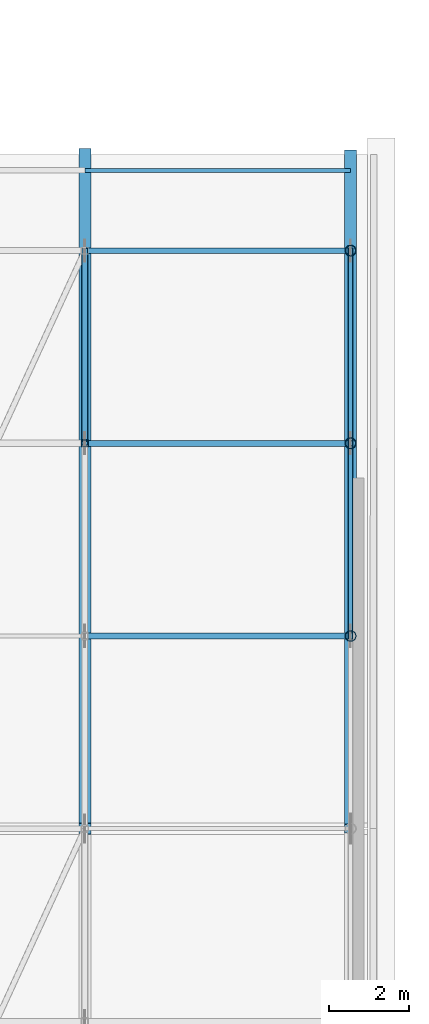
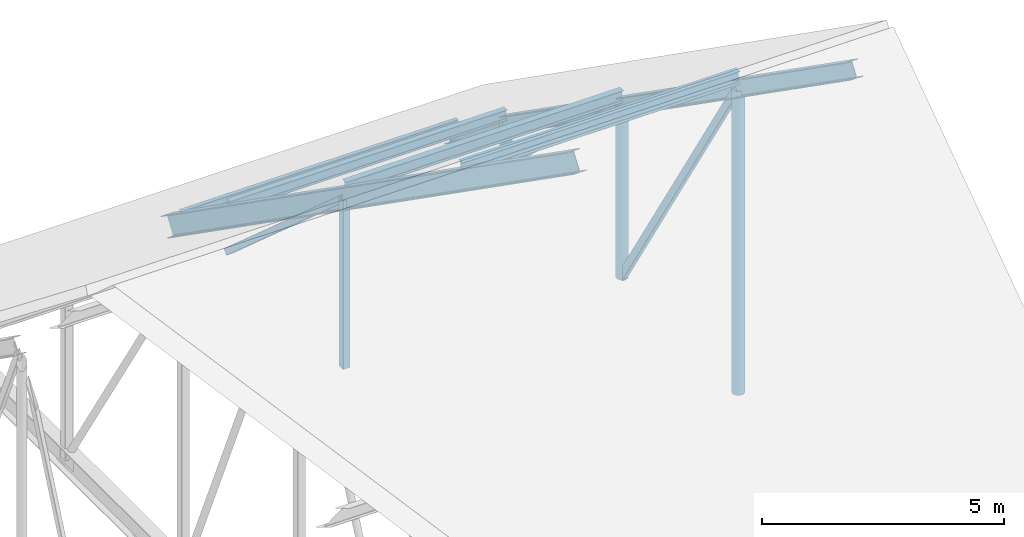
# One storey, part 82 of 134: 13 members.
"""IFC4 building model written with IfcOpenShell, lengths in metres."""

from ifc_helpers import new_model, si_unit, direction, frame, origin, origin_2d, place, context, subcontext, project, spatial, hollow_rectangle, hollow_circle, i_section, extrude, material, material_profile, profile_set, type_object, element, save


model = new_model("IFC4")

# Units and contexts
model_context = context("Model", 3, precision=1e-05, world=origin(), true_north=direction((0.0, 1.0)))
body_context = subcontext(model_context, "Body", "Model", "MODEL_VIEW")
ifc_project = project(units=[si_unit("LENGTHUNIT", "METRE"), si_unit("AREAUNIT", "SQUARE_METRE"), si_unit("VOLUMEUNIT", "CUBIC_METRE"), si_unit("PLANEANGLEUNIT", "RADIAN"), si_unit("MASSUNIT", "GRAM", prefix="KILO")], contexts=[model_context])

# Site, building, storey
site_placement = place(None, origin())
site = spatial("IfcSite", under=ifc_project, at=site_placement, CompositionType="ELEMENT")
building_placement = place(site_placement, origin())
building = spatial("IfcBuilding", under=site, at=building_placement, Name="Asteropetra Specialist Clinic", CompositionType="ELEMENT")
storey_placement = place(building_placement, frame((0.0, 0.0, 8.5)))
storey = spatial("IfcBuildingStorey", under=building, at=storey_placement, Name="L02", CompositionType="ELEMENT", Elevation=8.5)

# Members
ifc_material_1 = material(Name="Steel S355", Category="steel")
ifc_material_profile_1 = material_profile(ifc_material_1, hollow_rectangle(XDim=0.1201171875, YDim=0.199951171875, WallThickness=0.010009765625, InnerFilletRadius=0.008056640625, OuterFilletRadius=0.01611328125, at=origin_2d()), Name="RHS 200x120x10.0")
ifc_profile_set_1 = profile_set([ifc_material_profile_1], Name="Steel S355")
member_type_1 = type_object("IfcMemberType", Name="TR-BRC-RHS200", PredefinedType="BRACE", material=ifc_profile_set_1)
member_1_placement = place(storey_placement, frame((153.10009765625, 96.0, 8.089599609375), z_axis=(0.0, 0.530515462614, -0.847675258532), x_axis=(-1.0, 0.0, 0.0)))
element("IfcMember", 1, at=member_1_placement, inside=storey, type_object=member_type_1, Name="Truss Web Diagonal TRV1-D11-4", PredefinedType="BRACE", context=body_context, shape_type="SweptSolid", body=[
    extrude(hollow_rectangle(XDim=0.1201171875, YDim=0.199951171875, WallThickness=0.010009765625, InnerFilletRadius=0.008056640625, OuterFilletRadius=0.01611328125, at=origin_2d()), origin(), (0.0, 0.0, 1.0), 9.0478515625),
])
member_2_placement = place(storey_placement, frame((153.10009765625, 100.800048828125, 4.718017578125), z_axis=(0.0, 0.744985578282, -0.66708057096), x_axis=(-1.0, 0.0, 0.0)))
element("IfcMember", 2, at=member_2_placement, inside=storey, type_object=member_type_1, Name="Truss Web Diagonal TRV1-D11-5", PredefinedType="BRACE", context=body_context, shape_type="SweptSolid", body=[
    extrude(hollow_rectangle(XDim=0.1201171875, YDim=0.199951171875, WallThickness=0.010009765625, InnerFilletRadius=0.008056640625, OuterFilletRadius=0.01611328125, at=origin_2d()), origin(), (0.0, 0.0, 1.0), 6.443115234375),
])
ifc_material_2 = material(Name="Steel S355", Category="steel")
ifc_material_profile_2 = material_profile(ifc_material_2, hollow_rectangle(XDim=0.159912109375, YDim=0.159912109375, WallThickness=0.008056640625, InnerFilletRadius=0.008056640625, OuterFilletRadius=0.01611328125, at=origin_2d()), Name="SHS 160x160x8.0")
ifc_profile_set_2 = profile_set([ifc_material_profile_2], Name="Steel S355")
member_type_2 = type_object("IfcMemberType", Name="TR-BRC-SHS160", PredefinedType="BRACE", material=ifc_profile_set_2)
member_3_placement = place(storey_placement, frame((146.47998046875, 100.800048828125, 4.718017578125), z_axis=(0.0, 0.748853326805, -0.662735765546), x_axis=(-1.0, 0.0, 0.0)))
element("IfcMember", 3, at=member_3_placement, inside=storey, type_object=member_type_2, Name="Truss Web Diagonal TRV1-D10-5", PredefinedType="BRACE", context=body_context, shape_type="SweptSolid", body=[
    extrude(hollow_rectangle(XDim=0.159912109375, YDim=0.159912109375, WallThickness=0.008056640625, InnerFilletRadius=0.008056640625, OuterFilletRadius=0.01611328125, at=origin_2d()), origin(), (0.0, 0.0, 1.0), 6.409912109375),
])
ifc_material_3 = material(Name="Steel S355", Category="steel")
ifc_material_profile_3 = material_profile(ifc_material_3, i_section(OverallWidth=0.300048828125, OverallDepth=0.389892578125, WebThickness=0.010986328125, FlangeThickness=0.01904296875, FilletRadius=0.027099609375, at=origin_2d()), Name="HEA 400")
ifc_profile_set_3 = profile_set([ifc_material_profile_3], Name="Steel S355")
member_type_3 = type_object("IfcMemberType", Name="TR-CHD-HEA400", PredefinedType="CHORD", material=ifc_profile_set_3)
member_4_placement = place(storey_placement, frame((153.10009765625, 91.199951171875, 11.4609375), z_axis=(0.0, 0.818315202226, -0.574769718936), x_axis=(-1.0, 0.0, 0.0)))
element("IfcMember", 4, at=member_4_placement, inside=storey, type_object=member_type_3, Name="Truss North Top Chord TRV1-TCN11", PredefinedType="CHORD", context=body_context, shape_type="SweptSolid", body=[
    extrude(i_section(OverallWidth=0.300048828125, OverallDepth=0.389892578125, WebThickness=0.010986328125, FlangeThickness=0.01904296875, FilletRadius=0.027099609375, at=origin_2d()), origin(), (0.0, 0.0, 1.0), 20.530029296875),
])
ifc_material_4 = material(Name="Steel S355", Category="steel")
ifc_material_profile_4 = material_profile(ifc_material_4, i_section(OverallWidth=0.300048828125, OverallDepth=0.489990234375, WebThickness=0.011962890625, FlangeThickness=0.02294921875, FilletRadius=0.027099609375, at=origin_2d()), Name="HEA 500")
ifc_profile_set_4 = profile_set([ifc_material_profile_4], Name="Steel S355")
member_type_4 = type_object("IfcMemberType", Name="TR-CHD-HEA500", PredefinedType="CHORD", material=ifc_profile_set_4)
member_5_placement = place(storey_placement, frame((146.47998046875, 91.199951171875, 11.4609375), z_axis=(0.0, 0.818315202226, -0.574769718936), x_axis=(-1.0, 0.0, 0.0)))
element("IfcMember", 5, at=member_5_placement, inside=storey, type_object=member_type_4, Name="Truss North Top Chord TRV1-TCN10", PredefinedType="CHORD", context=body_context, shape_type="SweptSolid", body=[
    extrude(i_section(OverallWidth=0.300048828125, OverallDepth=0.489990234375, WebThickness=0.011962890625, FlangeThickness=0.02294921875, FilletRadius=0.027099609375, at=origin_2d()), origin(), (0.0, 0.0, 1.0), 20.530029296875),
])
ifc_material_5 = material(Name="Steel S355", Category="steel")
ifc_material_profile_5 = material_profile(ifc_material_5, i_section(OverallWidth=0.10009765625, OverallDepth=0.199951171875, WebThickness=0.005615234375, FlangeThickness=0.008544921875, FilletRadius=0.011962890625, at=origin_2d()), Name="IPE 200")
ifc_profile_set_5 = profile_set([ifc_material_profile_5], Name="Steel S355")
member_type_5 = type_object("IfcMemberType", Name="TR-PUR-IPE200", PredefinedType="PURLIN", material=ifc_profile_set_5)
member_6_placement = place(storey_placement, frame((146.47998046875, 107.60009765625, 0.177001953125), z_axis=(1.0, 0.0, 0.0), x_axis=(0.0, 1.0, 0.0)))
element("IfcMember", 6, at=member_6_placement, inside=storey, type_object=member_type_5, Name="Roof Purlin TRV1-P10-09", PredefinedType="PURLIN", context=body_context, shape_type="SweptSolid", body=[
    extrude(i_section(OverallWidth=0.10009765625, OverallDepth=0.199951171875, WebThickness=0.005615234375, FlangeThickness=0.008544921875, FilletRadius=0.011962890625, at=origin_2d()), origin(), (0.0, 0.0, 1.0), 6.6201171875),
])
ifc_material_6 = material(Name="Steel S355", Category="steel")
ifc_material_profile_6 = material_profile(ifc_material_6, i_section(OverallWidth=0.135009765625, OverallDepth=0.27001953125, WebThickness=0.006591796875, FlangeThickness=0.01025390625, FilletRadius=0.014892578125, at=origin_2d()), Name="IPE 270")
ifc_profile_set_6 = profile_set([ifc_material_profile_6], Name="Steel S355")
member_type_6 = type_object("IfcMemberType", Name="TR-PUR-IPE270", PredefinedType="PURLIN", material=ifc_profile_set_6)
member_7_placement = place(storey_placement, frame((146.47998046875, 105.60009765625, 1.61669921875), z_axis=(1.0, 0.0, 0.0), x_axis=(0.0, 1.0, 0.0)))
element("IfcMember", 7, at=member_7_placement, inside=storey, type_object=member_type_6, Name="Roof Purlin TRV1-P10-08", PredefinedType="PURLIN", context=body_context, shape_type="SweptSolid", body=[
    extrude(i_section(OverallWidth=0.135009765625, OverallDepth=0.27001953125, WebThickness=0.006591796875, FlangeThickness=0.01025390625, FilletRadius=0.014892578125, at=origin_2d()), origin(), (0.0, 0.0, 1.0), 6.6201171875),
])
ifc_material_7 = material(Name="Steel S355", Category="steel")
ifc_material_profile_7 = material_profile(ifc_material_7, i_section(OverallWidth=0.14990234375, OverallDepth=0.300048828125, WebThickness=0.007080078125, FlangeThickness=0.0107421875, FilletRadius=0.014892578125, at=origin_2d()), Name="IPE 300")
ifc_profile_set_7 = profile_set([ifc_material_profile_7], Name="Steel S355")
member_type_7 = type_object("IfcMemberType", Name="TR-PUR-IPE300", PredefinedType="PURLIN", material=ifc_profile_set_7)
member_8_placement = place(storey_placement, frame((146.47998046875, 100.800048828125, 5.003173828125), z_axis=(1.0, 0.0, 0.0), x_axis=(0.0, 1.0, 0.0)))
element("IfcMember", 8, at=member_8_placement, inside=storey, type_object=member_type_7, Name="Roof Purlin TRV1-P10-07", PredefinedType="PURLIN", context=body_context, shape_type="SweptSolid", body=[
    extrude(i_section(OverallWidth=0.14990234375, OverallDepth=0.300048828125, WebThickness=0.007080078125, FlangeThickness=0.0107421875, FilletRadius=0.014892578125, at=origin_2d()), origin(), (0.0, 0.0, 1.0), 6.6201171875),
])
ifc_material_8 = material(Name="Steel S355", Category="steel")
ifc_material_profile_8 = material_profile(ifc_material_8, i_section(OverallWidth=0.159912109375, OverallDepth=0.330078125, WebThickness=0.007568359375, FlangeThickness=0.011474609375, FilletRadius=0.01806640625, at=origin_2d()), Name="IPE 330")
ifc_profile_set_8 = profile_set([ifc_material_profile_8], Name="Steel S355")
member_type_8 = type_object("IfcMemberType", Name="TR-PUR-IPE330", PredefinedType="PURLIN", material=ifc_profile_set_8)
member_9_placement = place(storey_placement, frame((146.47998046875, 96.0, 8.389404296875), z_axis=(1.0, 0.0, 0.0), x_axis=(0.0, 1.0, 0.0)))
element("IfcMember", 9, at=member_9_placement, inside=storey, type_object=member_type_8, Name="Roof Purlin TRV1-P10-06", PredefinedType="PURLIN", context=body_context, shape_type="SweptSolid", body=[
    extrude(i_section(OverallWidth=0.159912109375, OverallDepth=0.330078125, WebThickness=0.007568359375, FlangeThickness=0.011474609375, FilletRadius=0.01806640625, at=origin_2d()), origin(), (0.0, 0.0, 1.0), 6.6201171875),
])
ifc_material_9 = material(Name="Steel S355", Category="steel")
ifc_material_profile_9 = material_profile(ifc_material_9, hollow_circle(Radius=0.136474609375, WallThickness=0.012451171875, at=origin_2d()), Name="CHS 273.0x12.5")
ifc_profile_set_9 = profile_set([ifc_material_profile_9], Name="Steel S355")
member_type_9 = type_object("IfcMemberType", Name="TR-STR-CHS273", PredefinedType="STRUT", material=ifc_profile_set_9)
member_10_placement = place(storey_placement, frame((153.10009765625, 96.0, 0.419921875), z_axis=(0.0, 0.0, 1.0), x_axis=(1.0, 0.0, 0.0)))
element("IfcMember", 10, at=member_10_placement, inside=storey, type_object=member_type_9, Name="Truss Web Strut TRV1-V11-4", PredefinedType="STRUT", context=body_context, shape_type="SweptSolid", body=[
    extrude(hollow_circle(Radius=0.136474609375, WallThickness=0.012451171875, at=origin_2d()), origin(), (0.0, 0.0, 1.0), 7.669677734375),
])
member_11_placement = place(storey_placement, frame((153.10009765625, 100.800048828125, 0.419921875), z_axis=(0.0, 0.0, 1.0), x_axis=(1.0, 0.0, 0.0)))
element("IfcMember", 11, at=member_11_placement, inside=storey, type_object=member_type_9, Name="Truss Web Strut TRV1-V11-5", PredefinedType="STRUT", context=body_context, shape_type="SweptSolid", body=[
    extrude(hollow_circle(Radius=0.136474609375, WallThickness=0.012451171875, at=origin_2d()), origin(), (0.0, 0.0, 1.0), 4.298095703125),
])
member_12_placement = place(storey_placement, frame((153.10009765625, 105.60009765625, 0.419921875), z_axis=(0.0, 0.0, 1.0), x_axis=(1.0, 0.0, 0.0)))
element("IfcMember", 12, at=member_12_placement, inside=storey, type_object=member_type_9, Name="Truss Web Strut TRV1-V11-6", PredefinedType="STRUT", context=body_context, shape_type="SweptSolid", body=[
    extrude(hollow_circle(Radius=0.136474609375, WallThickness=0.012451171875, at=origin_2d()), origin(), (0.0, 0.0, 1.0), 0.9267578125),
])
ifc_material_10 = material(Name="Steel S355", Category="steel")
ifc_material_profile_10 = material_profile(ifc_material_10, hollow_rectangle(XDim=0.179931640625, YDim=0.179931640625, WallThickness=0.010009765625, InnerFilletRadius=0.008056640625, OuterFilletRadius=0.01611328125, at=origin_2d()), Name="SHS 180x180x10.0")
ifc_profile_set_10 = profile_set([ifc_material_profile_10], Name="Steel S355")
member_type_10 = type_object("IfcMemberType", Name="TR-STR-SHS180", PredefinedType="STRUT", material=ifc_profile_set_10)
member_13_placement = place(storey_placement, frame((146.47998046875, 100.800048828125, 0.469970703125), z_axis=(0.0, 0.0, 1.0), x_axis=(1.0, 0.0, 0.0)))
element("IfcMember", 13, at=member_13_placement, inside=storey, type_object=member_type_10, Name="Truss Web Strut TRV1-V10-5", PredefinedType="STRUT", context=body_context, shape_type="SweptSolid", body=[
    extrude(hollow_rectangle(XDim=0.179931640625, YDim=0.179931640625, WallThickness=0.010009765625, InnerFilletRadius=0.008056640625, OuterFilletRadius=0.01611328125, at=origin_2d()), origin(), (0.0, 0.0, 1.0), 4.248046875),
])

save(model, "model.ifc")
